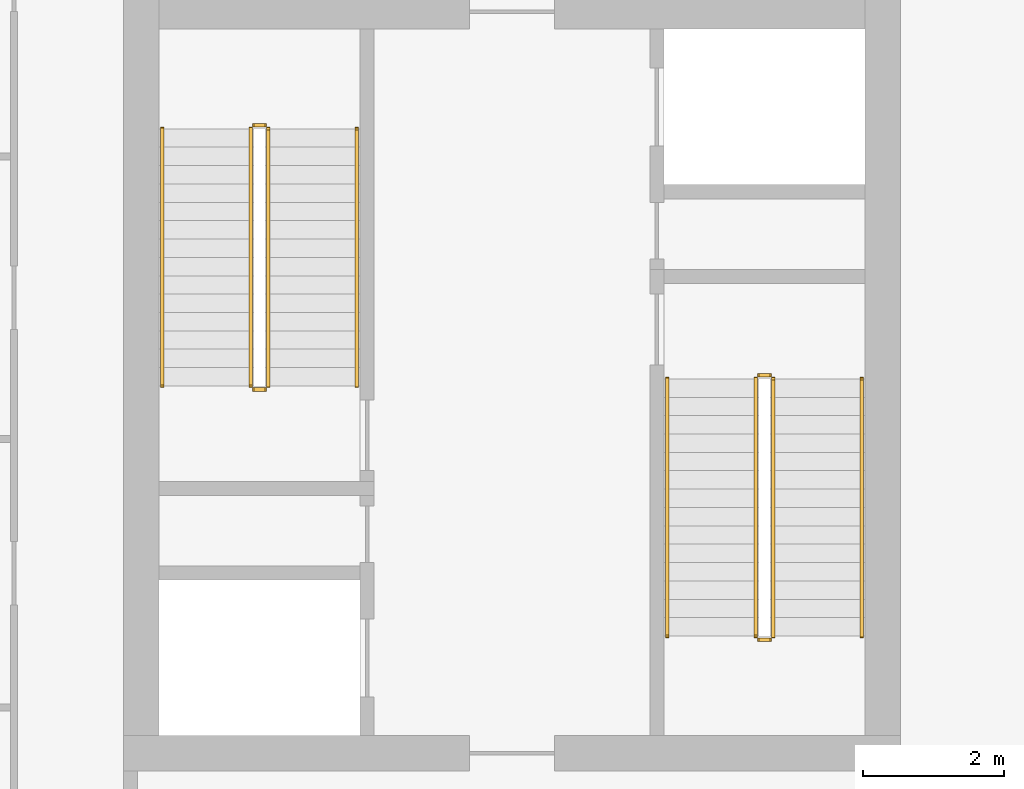
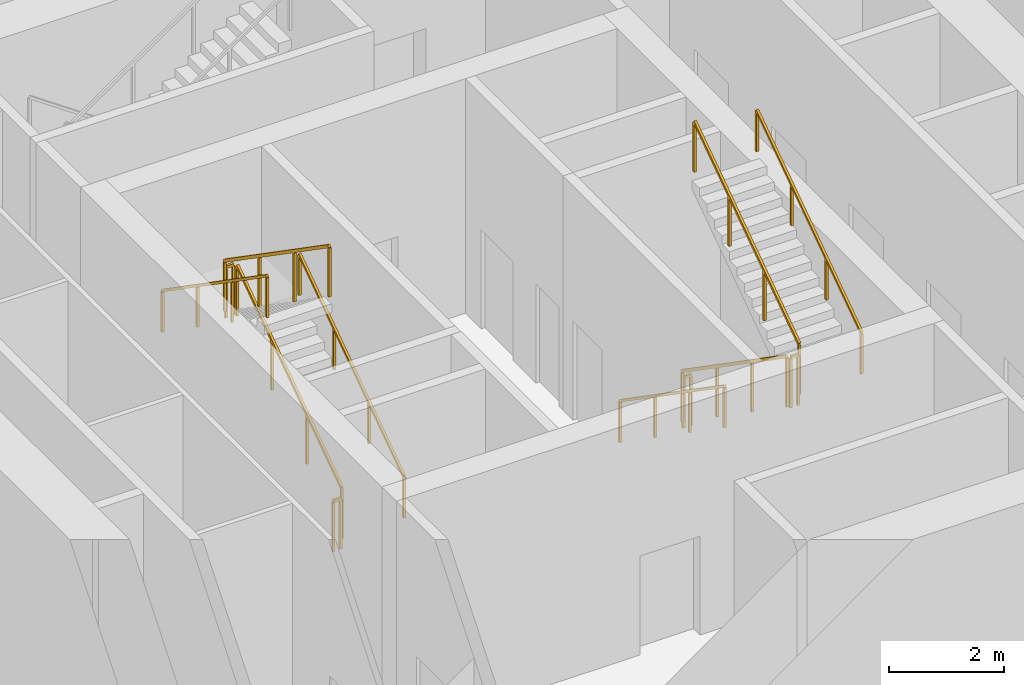
# One storey, part 19 of 21: 12 railings.
"""IFC4 building model written with IfcOpenShell, lengths in metres."""

from ifc_helpers import new_model, si_unit, direction, frame, origin, origin_2d, place, context, subcontext, project, spatial, rectangle, extrude, material, type_object, element, save


model = new_model("IFC4")

# Units and contexts
model_context = context("Model", 3, precision=1e-05, world=origin(), true_north=direction((0.0, 1.0)))
body_context = subcontext(model_context, "Body", "Model", "MODEL_VIEW")
ifc_project = project(units=[si_unit("LENGTHUNIT", "METRE"), si_unit("AREAUNIT", "SQUARE_METRE"), si_unit("VOLUMEUNIT", "CUBIC_METRE"), si_unit("PLANEANGLEUNIT", "RADIAN"), si_unit("MASSUNIT", "GRAM", prefix="KILO")], contexts=[model_context])

# Site, building, storey
site_placement = place(None, origin())
site = spatial("IfcSite", under=ifc_project, at=site_placement, CompositionType="ELEMENT")
building_placement = place(site_placement, origin())
building = spatial("IfcBuilding", under=site, at=building_placement, Name="Khepri Terraces", CompositionType="ELEMENT")
storey_placement = place(building_placement, frame((0.0, 0.0, 235.199951171875)))
storey = spatial("IfcBuildingStorey", under=building, at=storey_placement, Name="L56", CompositionType="ELEMENT", Elevation=235.199951171875)

# Railings
ifc_material = material(Name="Stainless steel 316", Category="steel")
railing_type_1 = type_object("IfcRailingType", Name="RL-CORE-GUARD", PredefinedType="GUARDRAIL", material=ifc_material)
railing_1_placement = place(storey_placement, frame((-3.449951171875, -0.050048828125, 0.179931640625)))
element("IfcRailing", 1, at=railing_1_placement, inside=storey, type_object=railing_type_1, Name="L56 ST-1 stair guard 1", PredefinedType="GUARDRAIL", context=body_context, shape_type="SweptSolid", body=[
    extrude(rectangle(XDim=0.050048828125, YDim=0.06005859375, at=origin_2d()), frame((0.0, 0.0, 1.070068359375), z_axis=(0.0, 0.82220013233, 0.56919850878), x_axis=(-1.0, 0.0, 0.0)), (0.0, 0.0, 1.0), 4.42724609375),
    extrude(rectangle(XDim=0.050048828125, YDim=0.050048828125, at=origin_2d()), origin(), (0.0, 0.0, 1.0), 1.0400390625),
    extrude(rectangle(XDim=0.050048828125, YDim=0.050048828125, at=origin_2d()), frame((0.0, 1.21337890625, 0.840087890625)), (0.0, 0.0, 1.0), 1.0400390625),
    extrude(rectangle(XDim=0.050048828125, YDim=0.050048828125, at=origin_2d()), frame((0.0, 2.4267578125, 1.679931640625)), (0.0, 0.0, 1.0), 1.0400390625),
    extrude(rectangle(XDim=0.050048828125, YDim=0.050048828125, at=origin_2d()), frame((0.0, 3.64013671875, 2.52001953125)), (0.0, 0.0, 1.0), 1.0400390625),
])
railing_2_placement = place(storey_placement, frame((-3.5, 3.639892578125, 2.699951171875)))
element("IfcRailing", 2, at=railing_2_placement, inside=storey, type_object=railing_type_1, Name="L56 ST-1 stair guard 2", PredefinedType="GUARDRAIL", context=body_context, shape_type="SweptSolid", body=[
    extrude(rectangle(XDim=0.050048828125, YDim=0.06005859375, at=origin_2d()), frame((0.0, 0.0, 1.070068359375), z_axis=(-1.0, 0.0, 0.0), x_axis=(0.0, -1.0, 0.0)), (0.0, 0.0, 1.0), 0.14990234375),
    extrude(rectangle(XDim=0.050048828125, YDim=0.050048828125, at=origin_2d()), origin(), (0.0, 0.0, 1.0), 1.0400390625),
    extrude(rectangle(XDim=0.050048828125, YDim=0.050048828125, at=origin_2d()), frame((-0.14990234375, 0.0, 0.0)), (0.0, 0.0, 1.0), 1.0400390625),
])
railing_3_placement = place(storey_placement, frame((-3.699951171875, 3.590087890625, 2.880126953125)))
element("IfcRailing", 3, at=railing_3_placement, inside=storey, type_object=railing_type_1, Name="L56 ST-1 stair guard 3", PredefinedType="GUARDRAIL", context=body_context, shape_type="SweptSolid", body=[
    extrude(rectangle(XDim=0.050048828125, YDim=0.06005859375, at=origin_2d()), frame((0.0, 0.0, 1.070068359375), z_axis=(0.0, -0.82220013233, 0.56919850878), x_axis=(1.0, 0.0, 0.0)), (0.0, 0.0, 1.0), 4.42724609375),
    extrude(rectangle(XDim=0.050048828125, YDim=0.050048828125, at=origin_2d()), origin(), (0.0, 0.0, 1.0), 1.0400390625),
    extrude(rectangle(XDim=0.050048828125, YDim=0.050048828125, at=origin_2d()), frame((0.0, -1.21337890625, 0.840087890625)), (0.0, 0.0, 1.0), 1.0400390625),
    extrude(rectangle(XDim=0.050048828125, YDim=0.050048828125, at=origin_2d()), frame((0.0, -2.4267578125, 1.679931640625)), (0.0, 0.0, 1.0), 1.0400390625),
    extrude(rectangle(XDim=0.050048828125, YDim=0.050048828125, at=origin_2d()), frame((0.0, -3.64013671875, 2.52001953125)), (0.0, 0.0, 1.0), 1.0400390625),
])
railing_4_placement = place(storey_placement, frame((-3.5, -0.10009765625, 0.0)))
element("IfcRailing", 4, at=railing_4_placement, inside=storey, type_object=railing_type_1, Name="L56 ST-1 stair guard 4", PredefinedType="GUARDRAIL", context=body_context, shape_type="SweptSolid", body=[
    extrude(rectangle(XDim=0.050048828125, YDim=0.06005859375, at=origin_2d()), frame((0.0, 0.0, 1.070068359375), z_axis=(-1.0, 0.0, 0.0), x_axis=(0.0, -1.0, 0.0)), (0.0, 0.0, 1.0), 0.14990234375),
    extrude(rectangle(XDim=0.050048828125, YDim=0.050048828125, at=origin_2d()), origin(), (0.0, 0.0, 1.0), 1.0400390625),
    extrude(rectangle(XDim=0.050048828125, YDim=0.050048828125, at=origin_2d()), frame((-0.14990234375, 0.0, 0.0)), (0.0, 0.0, 1.0), 1.0400390625),
])
railing_5_placement = place(storey_placement, frame((3.449951171875, 0.050048828125, 0.179931640625)))
element("IfcRailing", 5, at=railing_5_placement, inside=storey, type_object=railing_type_1, Name="L56 ST-2 stair guard 1", PredefinedType="GUARDRAIL", context=body_context, shape_type="SweptSolid", body=[
    extrude(rectangle(XDim=0.050048828125, YDim=0.06005859375, at=origin_2d()), frame((0.0, 0.0, 1.070068359375), z_axis=(0.0, -0.82220013233, 0.56919850878), x_axis=(1.0, 0.0, 0.0)), (0.0, 0.0, 1.0), 4.42724609375),
    extrude(rectangle(XDim=0.050048828125, YDim=0.050048828125, at=origin_2d()), origin(), (0.0, 0.0, 1.0), 1.0400390625),
    extrude(rectangle(XDim=0.050048828125, YDim=0.050048828125, at=origin_2d()), frame((0.0, -1.21337890625, 0.840087890625)), (0.0, 0.0, 1.0), 1.0400390625),
    extrude(rectangle(XDim=0.050048828125, YDim=0.050048828125, at=origin_2d()), frame((0.0, -2.4267578125, 1.679931640625)), (0.0, 0.0, 1.0), 1.0400390625),
    extrude(rectangle(XDim=0.050048828125, YDim=0.050048828125, at=origin_2d()), frame((0.0, -3.64013671875, 2.52001953125)), (0.0, 0.0, 1.0), 1.0400390625),
])
railing_6_placement = place(storey_placement, frame((3.5, -3.639892578125, 2.699951171875)))
element("IfcRailing", 6, at=railing_6_placement, inside=storey, type_object=railing_type_1, Name="L56 ST-2 stair guard 2", PredefinedType="GUARDRAIL", context=body_context, shape_type="SweptSolid", body=[
    extrude(rectangle(XDim=0.050048828125, YDim=0.06005859375, at=origin_2d()), frame((0.0, 0.0, 1.070068359375), z_axis=(1.0, 0.0, 0.0), x_axis=(0.0, 1.0, 0.0)), (0.0, 0.0, 1.0), 0.14990234375),
    extrude(rectangle(XDim=0.050048828125, YDim=0.050048828125, at=origin_2d()), origin(), (0.0, 0.0, 1.0), 1.0400390625),
    extrude(rectangle(XDim=0.050048828125, YDim=0.050048828125, at=origin_2d()), frame((0.14990234375, 0.0, 0.0)), (0.0, 0.0, 1.0), 1.0400390625),
])
railing_7_placement = place(storey_placement, frame((3.699951171875, -3.590087890625, 2.880126953125)))
element("IfcRailing", 7, at=railing_7_placement, inside=storey, type_object=railing_type_1, Name="L56 ST-2 stair guard 3", PredefinedType="GUARDRAIL", context=body_context, shape_type="SweptSolid", body=[
    extrude(rectangle(XDim=0.050048828125, YDim=0.06005859375, at=origin_2d()), frame((0.0, 0.0, 1.070068359375), z_axis=(0.0, 0.82220013233, 0.56919850878), x_axis=(-1.0, 0.0, 0.0)), (0.0, 0.0, 1.0), 4.42724609375),
    extrude(rectangle(XDim=0.050048828125, YDim=0.050048828125, at=origin_2d()), origin(), (0.0, 0.0, 1.0), 1.0400390625),
    extrude(rectangle(XDim=0.050048828125, YDim=0.050048828125, at=origin_2d()), frame((0.0, 1.21337890625, 0.840087890625)), (0.0, 0.0, 1.0), 1.0400390625),
    extrude(rectangle(XDim=0.050048828125, YDim=0.050048828125, at=origin_2d()), frame((0.0, 2.4267578125, 1.679931640625)), (0.0, 0.0, 1.0), 1.0400390625),
    extrude(rectangle(XDim=0.050048828125, YDim=0.050048828125, at=origin_2d()), frame((0.0, 3.64013671875, 2.52001953125)), (0.0, 0.0, 1.0), 1.0400390625),
])
railing_8_placement = place(storey_placement, frame((3.5, 0.10009765625, 0.0)))
element("IfcRailing", 8, at=railing_8_placement, inside=storey, type_object=railing_type_1, Name="L56 ST-2 stair guard 4", PredefinedType="GUARDRAIL", context=body_context, shape_type="SweptSolid", body=[
    extrude(rectangle(XDim=0.050048828125, YDim=0.06005859375, at=origin_2d()), frame((0.0, 0.0, 1.070068359375), z_axis=(1.0, 0.0, 0.0), x_axis=(0.0, 1.0, 0.0)), (0.0, 0.0, 1.0), 0.14990234375),
    extrude(rectangle(XDim=0.050048828125, YDim=0.050048828125, at=origin_2d()), origin(), (0.0, 0.0, 1.0), 1.0400390625),
    extrude(rectangle(XDim=0.050048828125, YDim=0.050048828125, at=origin_2d()), frame((0.14990234375, 0.0, 0.0)), (0.0, 0.0, 1.0), 1.0400390625),
])
railing_type_2 = type_object("IfcRailingType", Name="RL-CORE-HANDRAIL", PredefinedType="HANDRAIL", material=ifc_material)
railing_9_placement = place(storey_placement, frame((-2.199951171875, -0.050048828125, 0.179931640625)))
element("IfcRailing", 9, at=railing_9_placement, inside=storey, type_object=railing_type_2, Name="L56 ST-1 stair handrail 1", PredefinedType="HANDRAIL", context=body_context, shape_type="SweptSolid", body=[
    extrude(rectangle(XDim=0.050048828125, YDim=0.050048828125, at=origin_2d()), frame((0.0, 0.0, 0.875), z_axis=(0.0, 0.82220013233, 0.56919850878), x_axis=(-1.0, 0.0, 0.0)), (0.0, 0.0, 1.0), 4.42724609375),
    extrude(rectangle(XDim=0.050048828125, YDim=0.050048828125, at=origin_2d()), origin(), (0.0, 0.0, 1.0), 0.849853515625),
    extrude(rectangle(XDim=0.050048828125, YDim=0.050048828125, at=origin_2d()), frame((0.0, 1.21337890625, 0.840087890625)), (0.0, 0.0, 1.0), 0.849853515625),
    extrude(rectangle(XDim=0.050048828125, YDim=0.050048828125, at=origin_2d()), frame((0.0, 2.4267578125, 1.679931640625)), (0.0, 0.0, 1.0), 0.849853515625),
    extrude(rectangle(XDim=0.050048828125, YDim=0.050048828125, at=origin_2d()), frame((0.0, 3.64013671875, 2.52001953125)), (0.0, 0.0, 1.0), 0.849853515625),
])
for number, where, name in (
    (10, (-4.949951171875, 3.590087890625, 2.880126953125), "L56 ST-1 stair handrail 2"),
    (11, (2.199951171875, 0.050048828125, 0.179931640625), "L56 ST-2 stair handrail 1"),
):
    element("IfcRailing", number, at=place(storey_placement, frame(where)), inside=storey, type_object=railing_type_2, Name=name, PredefinedType="HANDRAIL", context=body_context, shape_type="SweptSolid", body=[
        extrude(rectangle(XDim=0.050048828125, YDim=0.050048828125, at=origin_2d()), frame((0.0, 0.0, 0.875), z_axis=(0.0, -0.82220013233, 0.56919850878), x_axis=(1.0, 0.0, 0.0)), (0.0, 0.0, 1.0), 4.42724609375),
        extrude(rectangle(XDim=0.050048828125, YDim=0.050048828125, at=origin_2d()), origin(), (0.0, 0.0, 1.0), 0.849853515625),
        extrude(rectangle(XDim=0.050048828125, YDim=0.050048828125, at=origin_2d()), frame((0.0, -1.21337890625, 0.840087890625)), (0.0, 0.0, 1.0), 0.849853515625),
        extrude(rectangle(XDim=0.050048828125, YDim=0.050048828125, at=origin_2d()), frame((0.0, -2.4267578125, 1.679931640625)), (0.0, 0.0, 1.0), 0.849853515625),
        extrude(rectangle(XDim=0.050048828125, YDim=0.050048828125, at=origin_2d()), frame((0.0, -3.64013671875, 2.52001953125)), (0.0, 0.0, 1.0), 0.849853515625),
    ])
railing_10_placement = place(storey_placement, frame((4.949951171875, -3.590087890625, 2.880126953125)))
element("IfcRailing", 12, at=railing_10_placement, inside=storey, type_object=railing_type_2, Name="L56 ST-2 stair handrail 2", PredefinedType="HANDRAIL", context=body_context, shape_type="SweptSolid", body=[
    extrude(rectangle(XDim=0.050048828125, YDim=0.050048828125, at=origin_2d()), frame((0.0, 0.0, 0.875), z_axis=(0.0, 0.82220013233, 0.56919850878), x_axis=(-1.0, 0.0, 0.0)), (0.0, 0.0, 1.0), 4.42724609375),
    extrude(rectangle(XDim=0.050048828125, YDim=0.050048828125, at=origin_2d()), origin(), (0.0, 0.0, 1.0), 0.849853515625),
    extrude(rectangle(XDim=0.050048828125, YDim=0.050048828125, at=origin_2d()), frame((0.0, 1.21337890625, 0.840087890625)), (0.0, 0.0, 1.0), 0.849853515625),
    extrude(rectangle(XDim=0.050048828125, YDim=0.050048828125, at=origin_2d()), frame((0.0, 2.4267578125, 1.679931640625)), (0.0, 0.0, 1.0), 0.849853515625),
    extrude(rectangle(XDim=0.050048828125, YDim=0.050048828125, at=origin_2d()), frame((0.0, 3.64013671875, 2.52001953125)), (0.0, 0.0, 1.0), 0.849853515625),
])

save(model, "model.ifc")
